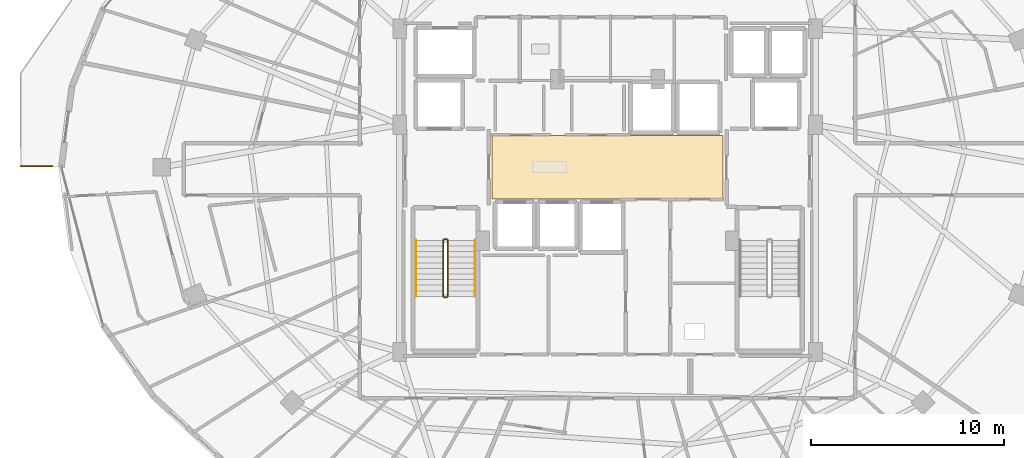
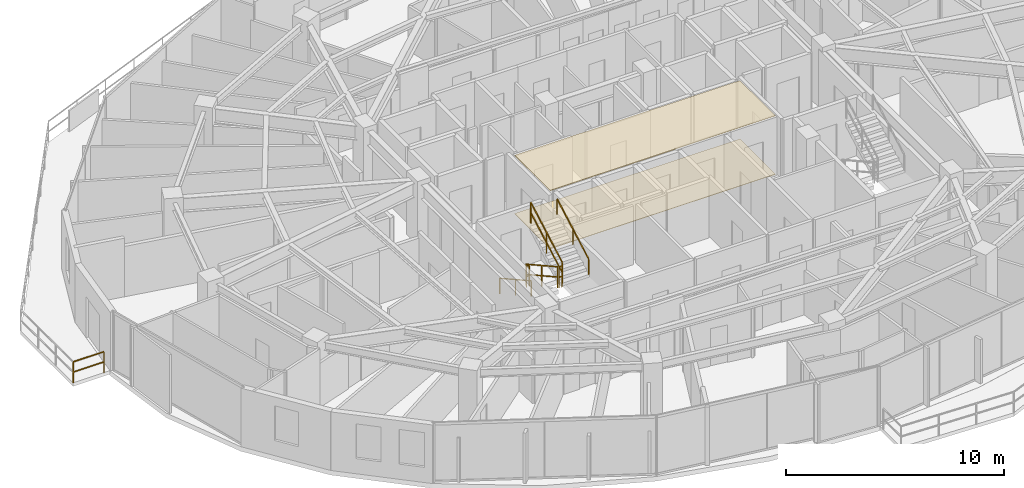
# One storey, part 31 of 34: 7 railings, 2 coverings.
"""IFC4 building model written with IfcOpenShell, lengths in metres."""

from ifc_helpers import new_model, si_unit, direction, frame, origin, origin_2d, place, context, subcontext, project, spatial, polyline, rectangle, outline, extrude, material, layer, layer_set, type_object, element, save


model = new_model("IFC4")

# Units and contexts
model_context = context("Model", 3, precision=1e-05, world=origin(), true_north=direction((0.0, 1.0)))
body_context = subcontext(model_context, "Body", "Model", "MODEL_VIEW")
ifc_project = project(units=[si_unit("LENGTHUNIT", "METRE"), si_unit("AREAUNIT", "SQUARE_METRE"), si_unit("VOLUMEUNIT", "CUBIC_METRE"), si_unit("PLANEANGLEUNIT", "RADIAN"), si_unit("MASSUNIT", "GRAM", prefix="KILO")], contexts=[model_context])

# Site, building, storey
site_placement = place(None, origin())
site = spatial("IfcSite", under=ifc_project, at=site_placement, CompositionType="ELEMENT")
building_placement = place(site_placement, origin())
building = spatial("IfcBuilding", under=site, at=building_placement, Name="Vorneva Point Tower", CompositionType="ELEMENT")
storey_placement = place(building_placement, frame((0.0, 0.0, 214.300048828125)))
storey = spatial("IfcBuildingStorey", under=building, at=storey_placement, Name="L58", CompositionType="ELEMENT", Elevation=214.300048828125)

# Coverings
ifc_material_1 = material(Name="Perforated acoustic aluminium baffle ceiling", Category="aluminium")
ifc_layer_1 = layer(ifc_material_1, 0.030029296875)
ifc_layer_set_1 = layer_set([ifc_layer_1], Name="Perforated acoustic aluminium baffle ceiling")
covering_type_1 = type_object("IfcCoveringType", Name="COV-CEIL-BAF", PredefinedType="CEILING", material=ifc_layer_set_1)
covering_1_placement = place(storey_placement, frame((0.0, 0.0, 3.260009765625)))
element("IfcCovering", 1, at=covering_1_placement, inside=storey, type_object=covering_type_1, Name="L58 Lift Lobby Acoustic Baffle Ceiling", PredefinedType="CEILING", context=body_context, shape_type="SweptSolid", body=[
    extrude(outline(polyline([(32.02001953125, 24.3701171875), (43.97998046875, 24.3701171875), (43.97998046875, 27.6298828125), (32.02001953125, 27.6298828125), (32.02001953125, 24.3701171875)])), origin(), (0.0, 0.0, 1.0), 0.034912109375),
])
ifc_material_2 = material(Name="Acoustic wool hospitality carpet", Category="textile")
ifc_layer_2 = layer(ifc_material_2, 0.01806640625)
ifc_layer_set_2 = layer_set([ifc_layer_2], Name="Acoustic wool hospitality carpet")
covering_type_2 = type_object("IfcCoveringType", Name="COV-FLR-CRP", PredefinedType="FLOORING", material=ifc_layer_set_2)
covering_2_placement = place(storey_placement, frame((0.0, 0.0, -0.005126953125)))
element("IfcCovering", 2, at=covering_2_placement, inside=storey, type_object=covering_type_2, Name="L58 Lift Lobby Floor Finish", PredefinedType="FLOORING", context=body_context, shape_type="SweptSolid", body=[
    extrude(outline(polyline([(32.02001953125, 24.3701171875), (43.97998046875, 24.3701171875), (43.97998046875, 27.6298828125), (32.02001953125, 27.6298828125), (32.02001953125, 24.3701171875)])), origin(), (0.0, 0.0, 1.0), 0.023193359375),
])

# Railings
ifc_material_3 = material(Name="Pale anodised aluminium", Category="aluminium")
railing_type_1 = type_object("IfcRailingType", Name="RL-BAL-1200", PredefinedType="BALUSTRADE", material=ifc_material_3)
railing_1_placement = place(storey_placement, frame((7.669921875, 26.050048828125, 0.0)))
element("IfcRailing", 3, at=railing_1_placement, inside=storey, type_object=railing_type_1, Name="L58 Wave Balcony Balustrade NW.1", PredefinedType="BALUSTRADE", context=body_context, shape_type="SweptSolid", body=[
    extrude(rectangle(XDim=0.048095703125, YDim=0.048095703125, at=origin_2d()), frame((0.0, 0.0, 1.17578125), z_axis=(1.0, 0.0, 0.0), x_axis=(0.0, 1.0, 0.0)), (0.0, 0.0, 1.0), 1.6337890625),
    extrude(rectangle(XDim=0.048095703125, YDim=0.048095703125, at=origin_2d()), frame((0.0, 0.0, 0.60009765625), z_axis=(1.0, 0.0, 0.0), x_axis=(0.0, 1.0, 0.0)), (0.0, 0.0, 1.0), 1.6337890625),
    extrude(rectangle(XDim=0.0419921875, YDim=0.0419921875, at=origin_2d()), origin(), (0.0, 0.0, 1.0), 1.15185546875),
    extrude(rectangle(XDim=0.0419921875, YDim=0.0419921875, at=origin_2d()), frame((1.6337890625, 0.0, 0.0)), (0.0, 0.0, 1.0), 1.15185546875),
])
ifc_material_4 = material(Name="Brushed stainless steel S304", Category="steel")
railing_type_2 = type_object("IfcRailingType", Name="RL-HND-920", PredefinedType="HANDRAIL", material=ifc_material_4)
railing_2_placement = place(storey_placement, frame((28.10009765625, 22.219970703125, 0.161376953125)))
element("IfcRailing", 4, at=railing_2_placement, inside=storey, type_object=railing_type_2, Name="L58 ST1 stair handrail 1", PredefinedType="HANDRAIL", context=body_context, shape_type="SweptSolid", body=[
    extrude(rectangle(XDim=0.048095703125, YDim=0.048095703125, at=origin_2d()), frame((0.0, 0.0, 0.8759765625), z_axis=(0.0, -0.873841303929, 0.486211245805), x_axis=(1.0, 0.0, 0.0)), (0.0, 0.0, 1.0), 3.318603515625),
    extrude(rectangle(XDim=0.0419921875, YDim=0.0419921875, at=origin_2d()), origin(), (0.0, 0.0, 1.0), 0.851806640625),
    extrude(rectangle(XDim=0.0419921875, YDim=0.0419921875, at=origin_2d()), frame((0.0, -1.449951171875, 0.806640625)), (0.0, 0.0, 1.0), 0.851806640625),
    extrude(rectangle(XDim=0.0419921875, YDim=0.0419921875, at=origin_2d()), frame((0.0, -2.89990234375, 1.613525390625)), (0.0, 0.0, 1.0), 0.851806640625),
])
railing_3_placement = place(storey_placement, frame((31.14990234375, 19.320068359375, 1.936279296875)))
element("IfcRailing", 5, at=railing_3_placement, inside=storey, type_object=railing_type_2, Name="L58 ST1 stair handrail 2", PredefinedType="HANDRAIL", context=body_context, shape_type="SweptSolid", body=[
    extrude(rectangle(XDim=0.048095703125, YDim=0.048095703125, at=origin_2d()), frame((0.0, 0.0, 0.8759765625), z_axis=(0.0, 0.873810046276, 0.486267419253), x_axis=(-1.0, 0.0, 0.0)), (0.0, 0.0, 1.0), 3.318603515625),
    extrude(rectangle(XDim=0.0419921875, YDim=0.0419921875, at=origin_2d()), origin(), (0.0, 0.0, 1.0), 0.851806640625),
    extrude(rectangle(XDim=0.0419921875, YDim=0.0419921875, at=origin_2d()), frame((0.0, 1.449951171875, 0.806884765625)), (0.0, 0.0, 1.0), 0.851806640625),
    extrude(rectangle(XDim=0.0419921875, YDim=0.0419921875, at=origin_2d()), frame((0.0, 2.89990234375, 1.61376953125)), (0.0, 0.0, 1.0), 0.851806640625),
])
railing_type_3 = type_object("IfcRailingType", Name="RL-STG-1100", PredefinedType="GUARDRAIL", material=ifc_material_4)
railing_4_placement = place(storey_placement, frame((29.5, 22.219970703125, 0.161376953125)))
element("IfcRailing", 6, at=railing_4_placement, inside=storey, type_object=railing_type_3, Name="L58 ST1 stair guard 1", PredefinedType="GUARDRAIL", context=body_context, shape_type="SweptSolid", body=[
    extrude(rectangle(XDim=0.048095703125, YDim=0.048095703125, at=origin_2d()), frame((0.0, 0.0, 1.17578125), z_axis=(0.0, -0.873841303929, 0.486211245805), x_axis=(1.0, 0.0, 0.0)), (0.0, 0.0, 1.0), 3.318603515625),
    extrude(rectangle(XDim=0.048095703125, YDim=0.048095703125, at=origin_2d()), frame((0.0, 0.0, 0.60009765625), z_axis=(0.0, -0.873841303929, 0.486211245805), x_axis=(1.0, 0.0, 0.0)), (0.0, 0.0, 1.0), 3.318603515625),
    extrude(rectangle(XDim=0.0419921875, YDim=0.0419921875, at=origin_2d()), origin(), (0.0, 0.0, 1.0), 1.15185546875),
    extrude(rectangle(XDim=0.0419921875, YDim=0.0419921875, at=origin_2d()), frame((0.0, -1.449951171875, 0.806640625)), (0.0, 0.0, 1.0), 1.15185546875),
    extrude(rectangle(XDim=0.0419921875, YDim=0.0419921875, at=origin_2d()), frame((0.0, -2.89990234375, 1.613525390625)), (0.0, 0.0, 1.0), 1.15185546875),
])
railing_5_placement = place(storey_placement, frame((29.550048828125, 19.27001953125, 1.77490234375)))
element("IfcRailing", 7, at=railing_5_placement, inside=storey, type_object=railing_type_3, Name="L58 ST1 stair guard 2", PredefinedType="GUARDRAIL", context=body_context, shape_type="SweptSolid", body=[
    extrude(rectangle(XDim=0.048095703125, YDim=0.048095703125, at=origin_2d()), frame((0.0, 0.0, 1.17578125), z_axis=(1.0, 0.0, 0.0), x_axis=(0.0, 1.0, 0.0)), (0.0, 0.0, 1.0), 0.14990234375),
    extrude(rectangle(XDim=0.048095703125, YDim=0.048095703125, at=origin_2d()), frame((0.0, 0.0, 0.60009765625), z_axis=(1.0, 0.0, 0.0), x_axis=(0.0, 1.0, 0.0)), (0.0, 0.0, 1.0), 0.14990234375),
    extrude(rectangle(XDim=0.0419921875, YDim=0.0419921875, at=origin_2d()), origin(), (0.0, 0.0, 1.0), 1.15185546875),
    extrude(rectangle(XDim=0.0419921875, YDim=0.0419921875, at=origin_2d()), frame((0.14990234375, 0.0, 0.0)), (0.0, 0.0, 1.0), 1.15185546875),
])
railing_6_placement = place(storey_placement, frame((29.75, 19.320068359375, 1.936279296875)))
element("IfcRailing", 8, at=railing_6_placement, inside=storey, type_object=railing_type_3, Name="L58 ST1 stair guard 3", PredefinedType="GUARDRAIL", context=body_context, shape_type="SweptSolid", body=[
    extrude(rectangle(XDim=0.048095703125, YDim=0.048095703125, at=origin_2d()), frame((0.0, 0.0, 1.17578125), z_axis=(0.0, 0.873810046276, 0.486267419253), x_axis=(-1.0, 0.0, 0.0)), (0.0, 0.0, 1.0), 3.318603515625),
    extrude(rectangle(XDim=0.048095703125, YDim=0.048095703125, at=origin_2d()), frame((0.0, 0.0, 0.60009765625), z_axis=(0.0, 0.873810046276, 0.486267419253), x_axis=(-1.0, 0.0, 0.0)), (0.0, 0.0, 1.0), 3.318603515625),
    extrude(rectangle(XDim=0.0419921875, YDim=0.0419921875, at=origin_2d()), origin(), (0.0, 0.0, 1.0), 1.15185546875),
    extrude(rectangle(XDim=0.0419921875, YDim=0.0419921875, at=origin_2d()), frame((0.0, 1.449951171875, 0.806884765625)), (0.0, 0.0, 1.0), 1.15185546875),
    extrude(rectangle(XDim=0.0419921875, YDim=0.0419921875, at=origin_2d()), frame((0.0, 2.89990234375, 1.61376953125)), (0.0, 0.0, 1.0), 1.15185546875),
])
railing_7_placement = place(storey_placement, frame((29.550048828125, 22.27001953125, 0.0)))
element("IfcRailing", 9, at=railing_7_placement, inside=storey, type_object=railing_type_3, Name="L58 ST1 stair guard 4", PredefinedType="GUARDRAIL", context=body_context, shape_type="SweptSolid", body=[
    extrude(rectangle(XDim=0.048095703125, YDim=0.048095703125, at=origin_2d()), frame((0.0, 0.0, 1.17578125), z_axis=(1.0, 0.0, 0.0), x_axis=(0.0, 1.0, 0.0)), (0.0, 0.0, 1.0), 0.14990234375),
    extrude(rectangle(XDim=0.048095703125, YDim=0.048095703125, at=origin_2d()), frame((0.0, 0.0, 0.60009765625), z_axis=(1.0, 0.0, 0.0), x_axis=(0.0, 1.0, 0.0)), (0.0, 0.0, 1.0), 0.14990234375),
    extrude(rectangle(XDim=0.0419921875, YDim=0.0419921875, at=origin_2d()), origin(), (0.0, 0.0, 1.0), 1.15185546875),
    extrude(rectangle(XDim=0.0419921875, YDim=0.0419921875, at=origin_2d()), frame((0.14990234375, 0.0, 0.0)), (0.0, 0.0, 1.0), 1.15185546875),
])

save(model, "model.ifc")
